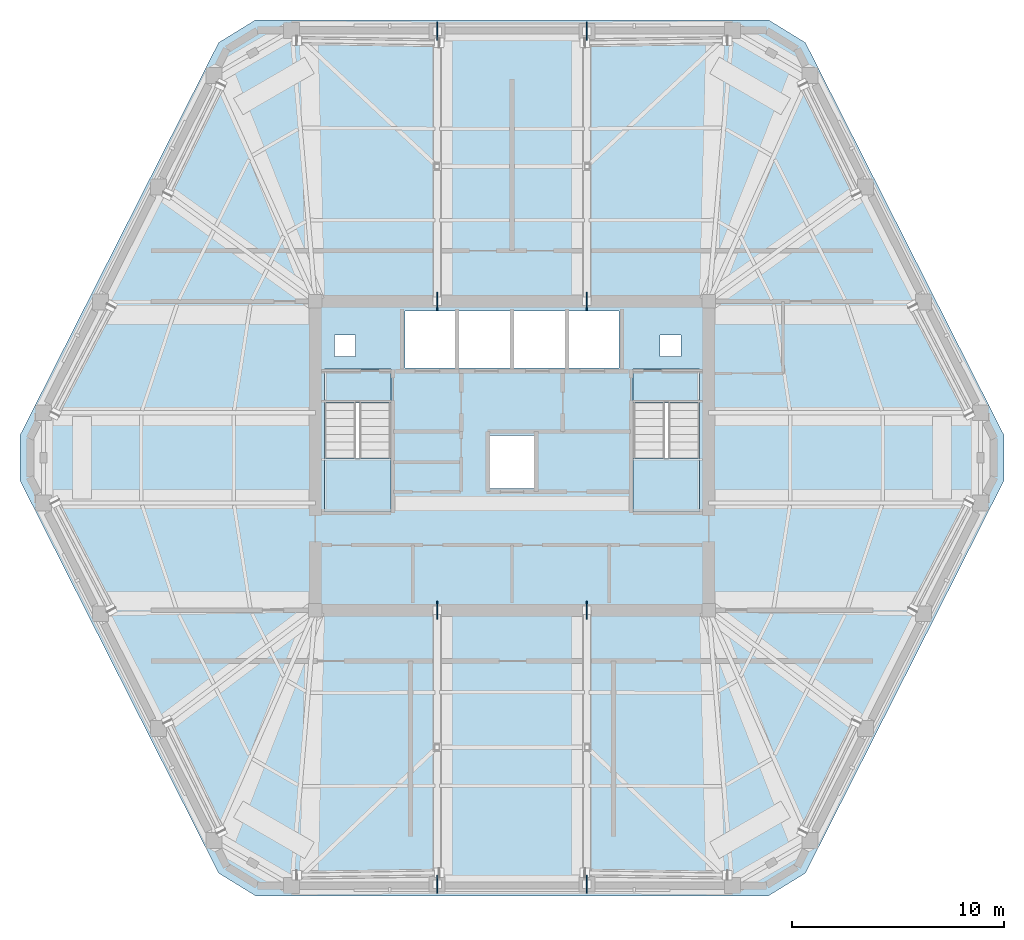
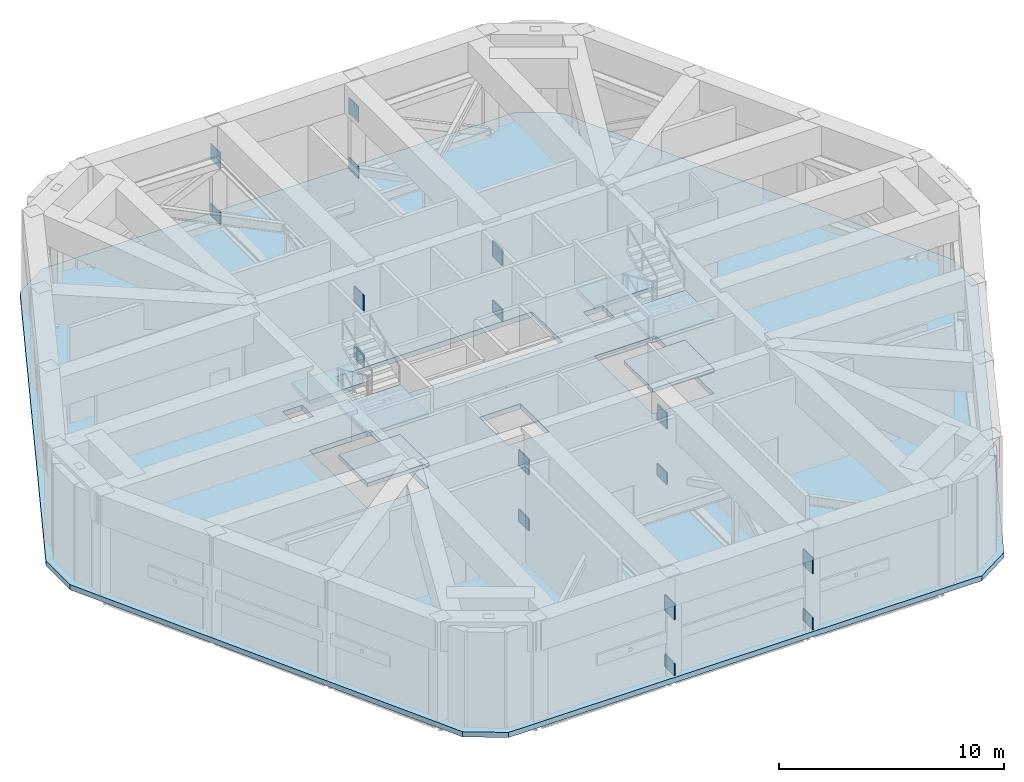
# One storey, part 6 of 15: 16 plates, 7 slabs, 2 elements without a shape of their own.
"""IFC4 building model written with IfcOpenShell, lengths in metres."""

from ifc_helpers import new_model, si_unit, direction, frame, origin, origin_2d, place, context, subcontext, project, spatial, polyline, rectangle, outline, extrude, material, layer, layer_set, type_object, element, aggregate, save


model = new_model("IFC4")

# Units and contexts
model_context = context("Model", 3, precision=1e-05, world=origin(), true_north=direction((0.0, 1.0)))
body_context = subcontext(model_context, "Body", "Model", "MODEL_VIEW")
ifc_project = project(units=[si_unit("LENGTHUNIT", "METRE"), si_unit("AREAUNIT", "SQUARE_METRE"), si_unit("VOLUMEUNIT", "CUBIC_METRE"), si_unit("PLANEANGLEUNIT", "RADIAN"), si_unit("MASSUNIT", "GRAM", prefix="KILO")], contexts=[model_context])

# Site, building, storey
site_placement = place(None, origin())
site = spatial("IfcSite", under=ifc_project, at=site_placement, CompositionType="ELEMENT")
building_placement = place(site_placement, origin())
building = spatial("IfcBuilding", under=site, at=building_placement, Name="Cinnabar Lancet Tower", CompositionType="ELEMENT")
storey_placement = place(building_placement, frame((0.0, 0.0, 221.60009765625)))
storey = spatial("IfcBuildingStorey", under=building, at=storey_placement, Name="L59", CompositionType="ELEMENT", Elevation=221.60009765625)

# Stair, slabs
ifc_material_1 = material(Name="Concrete C40/50", Category="concrete")
stair_type = type_object("IfcStairType", Name="ST-CORE", PredefinedType="HALF_TURN_STAIR", material=ifc_material_1)
stair_1_placement = place(storey_placement, origin())
stair_1 = element("IfcStair", 1, at=stair_1_placement, inside=storey, type_object=stair_type, Name="L59 ST-1", PredefinedType="HALF_TURN_STAIR")
ifc_material_2 = material(Name="Concrete C40/50", Category="concrete")
ifc_layer_1 = layer(ifc_material_2, 0.199951171875)
ifc_layer_set_1 = layer_set([ifc_layer_1], Name="Concrete C40/50")
slab_type_1 = type_object("IfcSlabType", Name="LANDING-CORE", PredefinedType="LANDING", material=ifc_layer_set_1)
slab_1_placement = place(storey_placement, frame((0.0, 0.0, 1.14990234375)))
slab_1 = element("IfcSlab", 2, at=slab_1_placement, type_object=slab_type_1, Name="ST-1 landing 1", PredefinedType="LANDING", context=body_context, shape_type="SweptSolid", body=[
    extrude(outline(polyline([(23.52490234375, 25.80029296875), (23.52490234375, 23.25), (26.675048828125, 23.25), (26.675048828125, 25.80029296875), (23.52490234375, 25.80029296875)])), origin(), (0.0, 0.0, 1.0), 0.199951171875),
])
slab_2_placement = place(storey_placement, frame((0.0, 0.0, 2.5)))
slab_2 = element("IfcSlab", 3, at=slab_2_placement, type_object=slab_type_1, Name="ST-1 landing 2", PredefinedType="LANDING", context=body_context, shape_type="SweptSolid", body=[
    extrude(outline(polyline([(23.52490234375, 30.0), (23.52490234375, 28.39990234375), (26.675048828125, 28.39990234375), (26.675048828125, 30.0), (23.52490234375, 30.0)])), origin(), (0.0, 0.0, 1.0), 0.199951171875),
])
slab_3_placement = place(storey_placement, frame((0.0, 0.0, 3.849853515625)))
slab_3 = element("IfcSlab", 4, at=slab_3_placement, type_object=slab_type_1, Name="ST-1 landing 3", PredefinedType="LANDING", context=body_context, shape_type="SweptSolid", body=[
    extrude(outline(polyline([(23.52490234375, 25.80029296875), (23.52490234375, 23.25), (26.675048828125, 23.25), (26.675048828125, 25.80029296875), (23.52490234375, 25.80029296875)])), origin(), (0.0, 0.0, 1.0), 0.199951171875),
])
aggregate(stair_1, [slab_1, slab_2, slab_3])

stair_2_placement = place(storey_placement, origin())
stair_2 = element("IfcStair", 5, at=stair_2_placement, inside=storey, type_object=stair_type, Name="L59 ST-2", PredefinedType="HALF_TURN_STAIR")
slab_4_placement = place(storey_placement, frame((0.0, 0.0, 1.14990234375)))
slab_4 = element("IfcSlab", 6, at=slab_4_placement, type_object=slab_type_1, Name="ST-2 landing 1", PredefinedType="LANDING", context=body_context, shape_type="SweptSolid", body=[
    extrude(outline(polyline([(38.125, 25.80029296875), (38.125, 23.25), (41.27490234375, 23.25), (41.27490234375, 25.80029296875), (38.125, 25.80029296875)])), origin(), (0.0, 0.0, 1.0), 0.199951171875),
])
slab_5_placement = place(storey_placement, frame((0.0, 0.0, 2.5)))
slab_5 = element("IfcSlab", 7, at=slab_5_placement, type_object=slab_type_1, Name="ST-2 landing 2", PredefinedType="LANDING", context=body_context, shape_type="SweptSolid", body=[
    extrude(outline(polyline([(38.125, 30.0), (38.125, 28.39990234375), (41.27490234375, 28.39990234375), (41.27490234375, 30.0), (38.125, 30.0)])), origin(), (0.0, 0.0, 1.0), 0.199951171875),
])
slab_6_placement = place(storey_placement, frame((0.0, 0.0, 3.849853515625)))
slab_6 = element("IfcSlab", 8, at=slab_6_placement, type_object=slab_type_1, Name="ST-2 landing 3", PredefinedType="LANDING", context=body_context, shape_type="SweptSolid", body=[
    extrude(outline(polyline([(38.125, 25.80029296875), (38.125, 23.25), (41.27490234375, 23.25), (41.27490234375, 25.80029296875), (38.125, 25.80029296875)])), origin(), (0.0, 0.0, 1.0), 0.199951171875),
])
aggregate(stair_2, [slab_4, slab_5, slab_6])

# Plates
ifc_material_3 = material(Name="Structural steel S460", Category="steel")
ifc_layer_2 = layer(ifc_material_3, 0.050048828125)
ifc_layer_set_2 = layer_set([ifc_layer_2], Name="Structural steel S460")
plate_type = type_object("IfcPlateType", Name="STR-PL-GUS-50", PredefinedType="USERDEFINED", material=ifc_layer_set_2)
for number, where, z_axis, x_axis, name in (
    (9, (28.85693359375, 18.60009765625, -0.205078125), (0.0, 0.0, 1.0), (1.0, 0.0, 0.0), "L59 Outrigger 1 Node Gusset CB"),
    (10, (28.85693359375, 18.60009765625, 3.02490234375), (0.0, 0.0, 1.0), (1.0, 0.0, 0.0), "L59 Outrigger 1 Node Gusset CT"),
    (11, (28.85693359375, 5.64208984375, -0.205078125), (0.0, 0.0, 1.0), (1.0, 0.0, 0.0), "L59 Outrigger 1 Node Gusset PB"),
    (12, (28.85693359375, 5.64208984375, 3.02490234375), (0.0, 0.0, 1.0), (1.0, 0.0, 0.0), "L59 Outrigger 1 Node Gusset PT"),
    (13, (35.943115234375, 18.60009765625, -0.205078125), (0.0, 0.0, 1.0), (1.0, 0.0, 0.0), "L59 Outrigger 2 Node Gusset CB"),
    (14, (35.943115234375, 18.60009765625, 3.02490234375), (0.0, 0.0, 1.0), (1.0, 0.0, 0.0), "L59 Outrigger 2 Node Gusset CT"),
    (15, (35.943115234375, 5.64208984375, -0.205078125), (0.0, 0.0, 1.0), (1.0, 0.0, 0.0), "L59 Outrigger 2 Node Gusset PB"),
    (16, (35.943115234375, 5.64208984375, 3.02490234375), (0.0, 0.0, 1.0), (1.0, 0.0, 0.0), "L59 Outrigger 2 Node Gusset PT"),
    (17, (35.943115234375, 33.199951171875, -0.205078125), (0.0, 0.0, 1.0), (1.0, 0.0, 0.0), "L59 Outrigger 3 Node Gusset CB"),
    (18, (35.943115234375, 33.199951171875, 3.02490234375), (0.0, 0.0, 1.0), (1.0, 0.0, 0.0), "L59 Outrigger 3 Node Gusset CT"),
    (19, (35.943115234375, 45.9580078125, -0.205078125), (0.0, 0.0, 1.0), (1.0, 0.0, 0.0), "L59 Outrigger 3 Node Gusset PB"),
    (20, (35.943115234375, 45.9580078125, 3.02490234375), (0.0, 0.0, 1.0), (1.0, 0.0, 0.0), "L59 Outrigger 3 Node Gusset PT"),
    (21, (28.85693359375, 33.199951171875, -0.205078125), (0.0, 0.0, 1.0), (1.0, 0.0, 0.0), "L59 Outrigger 4 Node Gusset CB"),
    (22, (28.85693359375, 33.199951171875, 3.02490234375), (0.0, 0.0, 1.0), (1.0, 0.0, 0.0), "L59 Outrigger 4 Node Gusset CT"),
    (23, (28.85693359375, 45.9580078125, -0.205078125), (0.0, 0.0, 1.0), (1.0, 0.0, 0.0), "L59 Outrigger 4 Node Gusset PB"),
    (24, (28.85693359375, 45.9580078125, 3.02490234375), (0.0, 0.0, 1.0), (1.0, 0.0, 0.0), "L59 Outrigger 4 Node Gusset PT"),
):
    element("IfcPlate", number, at=place(storey_placement, frame(where, z_axis=z_axis, x_axis=x_axis)), inside=storey, type_object=plate_type, Name=name, ObjectType="GUSSET PLATE", PredefinedType="USERDEFINED", context=body_context, shape_type="SweptSolid", body=[
        extrude(rectangle(XDim=0.050048828125, YDim=0.85009765625, at=origin_2d()), origin(), (0.0, 0.0, 1.0), 0.85009765625),
    ])

# Slab
ifc_material_4 = material(Name="Concrete C45/55", Category="concrete")
ifc_layer_3 = layer(ifc_material_4, 0.280029296875)
ifc_layer_set_3 = layer_set([ifc_layer_3], Name="Concrete C45/55")
slab_type_2 = type_object("IfcSlabType", Name="STR-SLB-FLR-280", PredefinedType="FLOOR", material=ifc_layer_set_3)
slab_7_placement = place(storey_placement, frame((0.0, 0.0, -0.280029296875)))
element("IfcSlab", 25, at=slab_7_placement, inside=storey, type_object=slab_type_2, Name="L59 Structural Floor Slab", PredefinedType="FLOOR", context=body_context, shape_type="SweptSolid", body=[
    extrude(outline(polyline([(18.530029296875, 6.1708984375), (20.27197265625, 5.10009765625), (44.528076171875, 5.10009765625), (46.27001953125, 6.1708984375), (55.657958984375, 24.72900390625), (55.657958984375, 26.87109375), (46.27001953125, 45.428955078125), (44.528076171875, 46.5), (20.27197265625, 46.5), (18.530029296875, 45.428955078125), (9.14208984375, 26.87109375), (9.14208984375, 24.72900390625), (18.530029296875, 6.1708984375)]), holes=[polyline([(23.52490234375, 23.25), (26.675048828125, 23.25), (26.675048828125, 28.3994140625), (23.52490234375, 28.3994140625), (23.52490234375, 23.25)]), polyline([(38.125, 23.25), (41.27490234375, 23.25), (41.27490234375, 28.3994140625), (38.125, 28.3994140625), (38.125, 23.25)]), polyline([(27.35009765625, 30.050048828125), (37.449951171875, 30.050048828125), (37.449951171875, 32.75), (27.35009765625, 32.75), (27.35009765625, 30.050048828125)]), polyline([(31.35009765625, 24.35009765625), (33.449951171875, 24.35009765625), (33.449951171875, 26.85009765625), (31.35009765625, 26.85009765625), (31.35009765625, 24.35009765625)]), polyline([(24.0, 30.60009765625), (25.0, 30.60009765625), (25.0, 31.60009765625), (24.0, 31.60009765625), (24.0, 30.60009765625)]), polyline([(39.39990234375, 30.60009765625), (40.39990234375, 30.60009765625), (40.39990234375, 31.60009765625), (39.39990234375, 31.60009765625), (39.39990234375, 30.60009765625)])]), origin(), (0.0, 0.0, 1.0), 0.280029296875),
])

save(model, "model.ifc")
